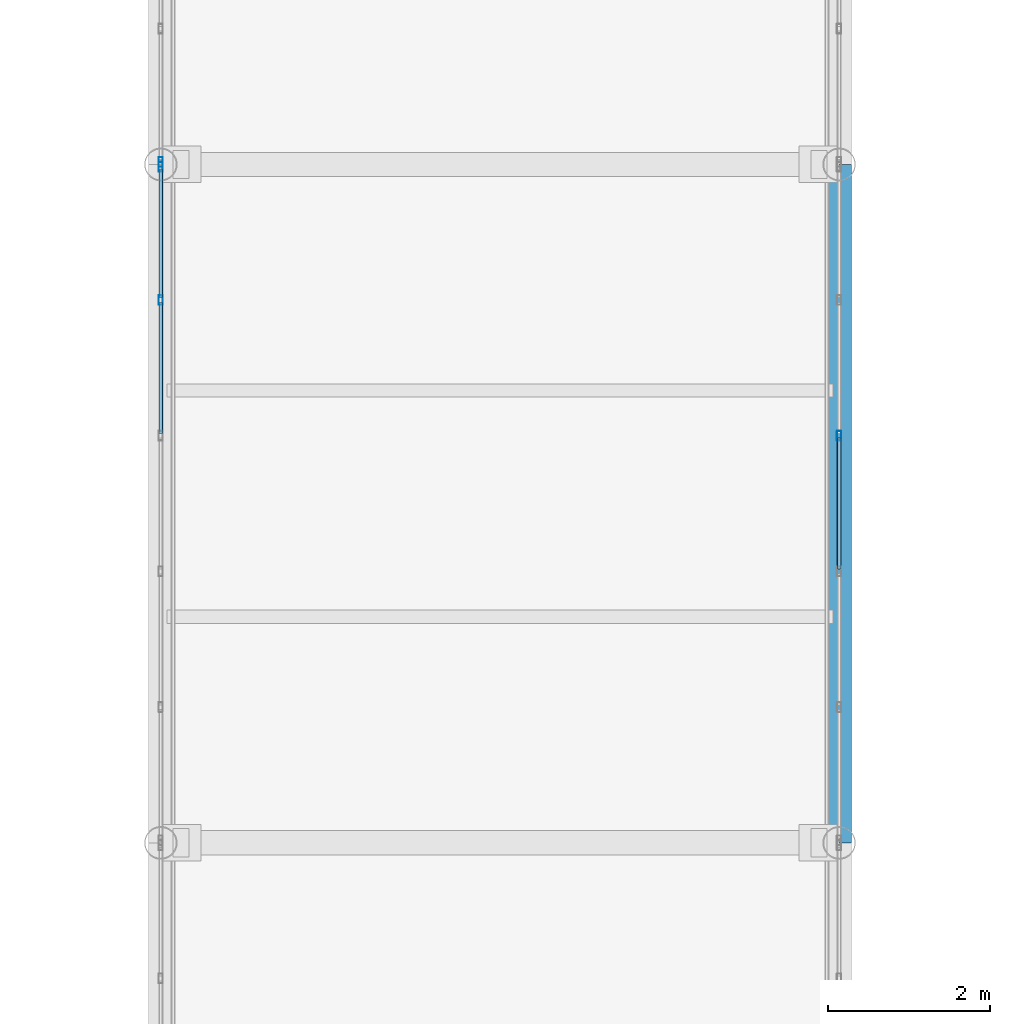
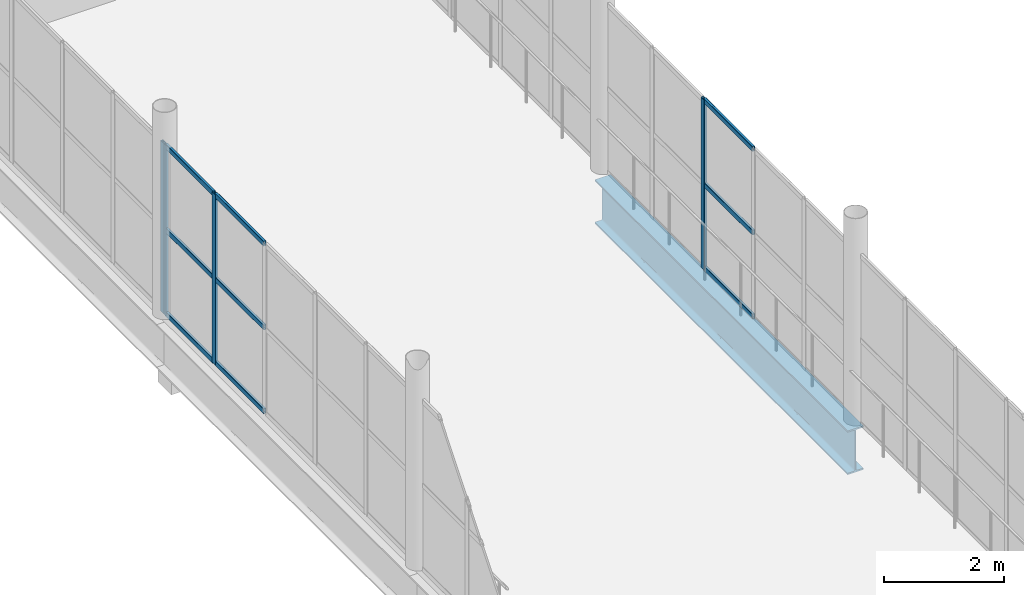
# One storey, part 54 of 163: 13 members, 1 beam, 3 elements without a shape of their own.
"""IFC4 building model written with IfcOpenShell, lengths in metres."""

from ifc_helpers import new_model, si_unit, direction, frame, origin, origin_2d, place, context, subcontext, project, spatial, hollow_rectangle, i_section, extrude, material, layer, layer_set, material_profile, profile_set, type_object, element, aggregate, save


model = new_model("IFC4")

# Units and contexts
model_context = context("Model", 3, precision=1e-05, world=origin(), true_north=direction((0.0, 1.0)))
body_context = subcontext(model_context, "Body", "Model", "MODEL_VIEW")
ifc_project = project(units=[si_unit("LENGTHUNIT", "METRE"), si_unit("AREAUNIT", "SQUARE_METRE"), si_unit("VOLUMEUNIT", "CUBIC_METRE"), si_unit("PLANEANGLEUNIT", "RADIAN"), si_unit("MASSUNIT", "GRAM", prefix="KILO")], contexts=[model_context])

# Site, building, storey
site_placement = place(None, origin())
site = spatial("IfcSite", under=ifc_project, at=site_placement, CompositionType="ELEMENT")
building_placement = place(site_placement, origin())
building = spatial("IfcBuilding", under=site, at=building_placement, Name="Qalvenar Corner Mobility Hub", CompositionType="ELEMENT")
storey_placement = place(building_placement, frame((0.0, 0.0, 4.800048828125)))
storey = spatial("IfcBuildingStorey", under=building, at=storey_placement, Name="L01", CompositionType="ELEMENT", Elevation=4.800048828125)

# Beam
ifc_material_1 = material(Name="Steel S355", Category="steel")
ifc_material_profile_1 = material_profile(ifc_material_1, i_section(OverallWidth=0.300048828125, OverallDepth=0.889892578125, WebThickness=0.01611328125, FlangeThickness=0.030029296875, FilletRadius=0.027099609375, at=origin_2d()), Name="HEA900")
ifc_profile_set_1 = profile_set([ifc_material_profile_1], Name="Steel S355")
beam_type = type_object("IfcBeamType", Name="BM-BRG900", PredefinedType="BEAM", material=ifc_profile_set_1)
beam_placement = place(storey_placement, frame((58.800048828125, 50.39990234375, -0.635009765625), z_axis=(0.0, 1.0, 0.0), x_axis=(-1.0, 0.0, 0.0)))
element("IfcBeam", 1, at=beam_placement, inside=storey, type_object=beam_type, Name="Court Link Bridge Girder BRG-1531", PredefinedType="BEAM", context=body_context, shape_type="SweptSolid", body=[
    extrude(i_section(OverallWidth=0.300048828125, OverallDepth=0.889892578125, WebThickness=0.01611328125, FlangeThickness=0.030029296875, FilletRadius=0.027099609375, at=origin_2d()), origin(), (0.0, 0.0, 1.0), 8.400146484375),
])

# Curtain wall, members
ifc_material_2 = material(Name="Anodised Aluminium and Low-E Glazing", Category="aluminium")
ifc_layer = layer(ifc_material_2, 0.1201171875)
ifc_layer_set = layer_set([ifc_layer], Name="Anodised Aluminium and Low-E Glazing")
curtain_wall_type = type_object("IfcCurtainWallType", Name="CW-BRG-84X28", PredefinedType="NOTDEFINED", material=ifc_layer_set)
curtain_wall_1_placement = place(storey_placement, origin())
curtain_wall_1 = element("IfcCurtainWall", 2, at=curtain_wall_1_placement, inside=storey, type_object=curtain_wall_type, Name="Glazed Curtain Wall CW-BRG-L01-W2", PredefinedType="NOTDEFINED")
ifc_material_3 = material(Name="Anodised Aluminium 6063-T6", Category="aluminium")
ifc_material_profile_2 = material_profile(ifc_material_3, hollow_rectangle(XDim=0.054931640625, YDim=0.1201171875, WallThickness=0.00341796875, InnerFilletRadius=0.00341796875, OuterFilletRadius=0.007080078125, at=origin_2d()), Name="RHS120x55x3.5")
ifc_profile_set_2 = profile_set([ifc_material_profile_2], Name="Anodised Aluminium 6063-T6")
member_type_1 = type_object("IfcMemberType", Name="CW-MUL120", PredefinedType="MULLION", material=ifc_profile_set_2)
member_1_placement = place(storey_placement, frame((50.39990234375, 58.77001953125, 0.0), z_axis=(0.0, 0.0, 1.0), x_axis=(1.0, 0.0, 0.0)))
member_1 = element("IfcMember", 3, at=member_1_placement, type_object=member_type_1, Name="CW-11 mullion 1", PredefinedType="MULLION", context=body_context, shape_type="SweptSolid", body=[
    extrude(hollow_rectangle(XDim=0.054931640625, YDim=0.1201171875, WallThickness=0.00341796875, InnerFilletRadius=0.00341796875, OuterFilletRadius=0.007080078125, at=origin_2d()), origin(), (0.0, 0.0, 1.0), 3.449951171875),
])
member_2_placement = place(storey_placement, frame((50.39990234375, 57.1201171875, 0.0), z_axis=(0.0, 0.0, 1.0), x_axis=(1.0, 0.0, 0.0)))
member_2 = element("IfcMember", 4, at=member_2_placement, type_object=member_type_1, Name="CW-11 mullion 2", PredefinedType="MULLION", context=body_context, shape_type="SweptSolid", body=[
    extrude(hollow_rectangle(XDim=0.054931640625, YDim=0.1201171875, WallThickness=0.00341796875, InnerFilletRadius=0.00341796875, OuterFilletRadius=0.007080078125, at=origin_2d()), origin(), (0.0, 0.0, 1.0), 3.449951171875),
])

# Curtain wall, member
curtain_wall_2_placement = place(storey_placement, origin())
curtain_wall_2 = element("IfcCurtainWall", 5, at=curtain_wall_2_placement, inside=storey, type_object=curtain_wall_type, Name="Glazed Curtain Wall CW-BRG-L01-E2", PredefinedType="NOTDEFINED")
member_3_placement = place(storey_placement, frame((58.800048828125, 55.43994140625, 0.0), z_axis=(0.0, 0.0, 1.0), x_axis=(-1.0, 0.0, 0.0)))
member_3 = element("IfcMember", 6, at=member_3_placement, type_object=member_type_1, Name="CW-11 mullion 4", PredefinedType="MULLION", context=body_context, shape_type="SweptSolid", body=[
    extrude(hollow_rectangle(XDim=0.054931640625, YDim=0.1201171875, WallThickness=0.00341796875, InnerFilletRadius=0.00341796875, OuterFilletRadius=0.007080078125, at=origin_2d()), origin(), (0.0, 0.0, 1.0), 3.449951171875),
])

curtain_wall_3_placement = place(storey_placement, origin())
curtain_wall_3 = element("IfcCurtainWall", 7, at=curtain_wall_3_placement, inside=storey, type_object=curtain_wall_type, Name="Glazed Curtain Wall CW-BRG-L01-W3", PredefinedType="NOTDEFINED")
member_4_placement = place(storey_placement, frame((50.39990234375, 58.830078125, 0.0), z_axis=(0.0, 0.0, 1.0), x_axis=(1.0, 0.0, 0.0)))
member_4 = element("IfcMember", 8, at=member_4_placement, type_object=member_type_1, Name="CW-11 mullion 6", PredefinedType="MULLION", context=body_context, shape_type="SweptSolid", body=[
    extrude(hollow_rectangle(XDim=0.054931640625, YDim=0.1201171875, WallThickness=0.00341796875, InnerFilletRadius=0.00341796875, OuterFilletRadius=0.007080078125, at=origin_2d()), origin(), (0.0, 0.0, 1.0), 3.449951171875),
])
aggregate(curtain_wall_3, [member_4])

# Member
ifc_material_profile_3 = material_profile(ifc_material_3, hollow_rectangle(XDim=0.050048828125, YDim=0.10009765625, WallThickness=0.0029296875, InnerFilletRadius=0.0029296875, OuterFilletRadius=0.006103515625, at=origin_2d()), Name="RHS100x50x3")
ifc_profile_set_3 = profile_set([ifc_material_profile_3], Name="Anodised Aluminium 6063-T6")
member_type_2 = type_object("IfcMemberType", Name="CW-TRN100", PredefinedType="USERDEFINED", material=ifc_profile_set_3)
member_5_placement = place(storey_placement, frame((50.39990234375, 58.739990234375, 0.02734375), z_axis=(0.0, -1.0, 0.0), x_axis=(1.0, 0.0, 0.0)))
member_5 = element("IfcMember", 9, at=member_5_placement, type_object=member_type_2, Name="CW-11 transom 1.1", ObjectType="TRANSOM", PredefinedType="USERDEFINED", context=body_context, shape_type="SweptSolid", body=[
    extrude(hollow_rectangle(XDim=0.050048828125, YDim=0.10009765625, WallThickness=0.0029296875, InnerFilletRadius=0.0029296875, OuterFilletRadius=0.006103515625, at=origin_2d()), origin(), (0.0, 0.0, 1.0), 1.590087890625),
])

member_6_placement = place(storey_placement, frame((50.39990234375, 58.739990234375, 1.724853515625), z_axis=(0.0, -1.0, 0.0), x_axis=(1.0, 0.0, 0.0)))
member_6 = element("IfcMember", 10, at=member_6_placement, type_object=member_type_2, Name="CW-11 transom 1.2", ObjectType="TRANSOM", PredefinedType="USERDEFINED", context=body_context, shape_type="SweptSolid", body=[
    extrude(hollow_rectangle(XDim=0.050048828125, YDim=0.10009765625, WallThickness=0.0029296875, InnerFilletRadius=0.0029296875, OuterFilletRadius=0.006103515625, at=origin_2d()), origin(), (0.0, 0.0, 1.0), 1.590087890625),
])

member_7_placement = place(storey_placement, frame((50.39990234375, 58.739990234375, 3.42236328125), z_axis=(0.0, -1.0, 0.0), x_axis=(1.0, 0.0, 0.0)))
member_7 = element("IfcMember", 11, at=member_7_placement, type_object=member_type_2, Name="CW-11 transom 1.3", ObjectType="TRANSOM", PredefinedType="USERDEFINED", context=body_context, shape_type="SweptSolid", body=[
    extrude(hollow_rectangle(XDim=0.050048828125, YDim=0.10009765625, WallThickness=0.0029296875, InnerFilletRadius=0.0029296875, OuterFilletRadius=0.006103515625, at=origin_2d()), origin(), (0.0, 0.0, 1.0), 1.590087890625),
])

member_8_placement = place(storey_placement, frame((50.39990234375, 57.090087890625, 0.02734375), z_axis=(0.0, -1.0, 0.0), x_axis=(1.0, 0.0, 0.0)))
member_8 = element("IfcMember", 12, at=member_8_placement, type_object=member_type_2, Name="CW-11 transom 2.1", ObjectType="TRANSOM", PredefinedType="USERDEFINED", context=body_context, shape_type="SweptSolid", body=[
    extrude(hollow_rectangle(XDim=0.050048828125, YDim=0.10009765625, WallThickness=0.0029296875, InnerFilletRadius=0.0029296875, OuterFilletRadius=0.006103515625, at=origin_2d()), origin(), (0.0, 0.0, 1.0), 1.6201171875),
])

member_9_placement = place(storey_placement, frame((50.39990234375, 57.090087890625, 1.724853515625), z_axis=(0.0, -1.0, 0.0), x_axis=(1.0, 0.0, 0.0)))
member_9 = element("IfcMember", 13, at=member_9_placement, type_object=member_type_2, Name="CW-11 transom 2.2", ObjectType="TRANSOM", PredefinedType="USERDEFINED", context=body_context, shape_type="SweptSolid", body=[
    extrude(hollow_rectangle(XDim=0.050048828125, YDim=0.10009765625, WallThickness=0.0029296875, InnerFilletRadius=0.0029296875, OuterFilletRadius=0.006103515625, at=origin_2d()), origin(), (0.0, 0.0, 1.0), 1.6201171875),
])

member_10_placement = place(storey_placement, frame((50.39990234375, 57.090087890625, 3.42236328125), z_axis=(0.0, -1.0, 0.0), x_axis=(1.0, 0.0, 0.0)))
member_10 = element("IfcMember", 14, at=member_10_placement, type_object=member_type_2, Name="CW-11 transom 2.3", ObjectType="TRANSOM", PredefinedType="USERDEFINED", context=body_context, shape_type="SweptSolid", body=[
    extrude(hollow_rectangle(XDim=0.050048828125, YDim=0.10009765625, WallThickness=0.0029296875, InnerFilletRadius=0.0029296875, OuterFilletRadius=0.006103515625, at=origin_2d()), origin(), (0.0, 0.0, 1.0), 1.6201171875),
])

aggregate(curtain_wall_1, [member_1, member_2, member_5, member_6, member_7, member_8, member_9, member_10])

member_11_placement = place(storey_placement, frame((58.800048828125, 53.7900390625, 0.02734375), z_axis=(0.0, 1.0, 0.0), x_axis=(-1.0, 0.0, 0.0)))
member_11 = element("IfcMember", 15, at=member_11_placement, type_object=member_type_2, Name="CW-11 transom 3.1", ObjectType="TRANSOM", PredefinedType="USERDEFINED", context=body_context, shape_type="SweptSolid", body=[
    extrude(hollow_rectangle(XDim=0.050048828125, YDim=0.10009765625, WallThickness=0.0029296875, InnerFilletRadius=0.0029296875, OuterFilletRadius=0.006103515625, at=origin_2d()), origin(), (0.0, 0.0, 1.0), 1.619873046875),
])

member_12_placement = place(storey_placement, frame((58.800048828125, 53.7900390625, 1.724853515625), z_axis=(0.0, 1.0, 0.0), x_axis=(-1.0, 0.0, 0.0)))
member_12 = element("IfcMember", 16, at=member_12_placement, type_object=member_type_2, Name="CW-11 transom 3.2", ObjectType="TRANSOM", PredefinedType="USERDEFINED", context=body_context, shape_type="SweptSolid", body=[
    extrude(hollow_rectangle(XDim=0.050048828125, YDim=0.10009765625, WallThickness=0.0029296875, InnerFilletRadius=0.0029296875, OuterFilletRadius=0.006103515625, at=origin_2d()), origin(), (0.0, 0.0, 1.0), 1.619873046875),
])

member_13_placement = place(storey_placement, frame((58.800048828125, 53.7900390625, 3.42236328125), z_axis=(0.0, 1.0, 0.0), x_axis=(-1.0, 0.0, 0.0)))
member_13 = element("IfcMember", 17, at=member_13_placement, type_object=member_type_2, Name="CW-11 transom 3.3", ObjectType="TRANSOM", PredefinedType="USERDEFINED", context=body_context, shape_type="SweptSolid", body=[
    extrude(hollow_rectangle(XDim=0.050048828125, YDim=0.10009765625, WallThickness=0.0029296875, InnerFilletRadius=0.0029296875, OuterFilletRadius=0.006103515625, at=origin_2d()), origin(), (0.0, 0.0, 1.0), 1.619873046875),
])

aggregate(curtain_wall_2, [member_3, member_11, member_12, member_13])

save(model, "model.ifc")
